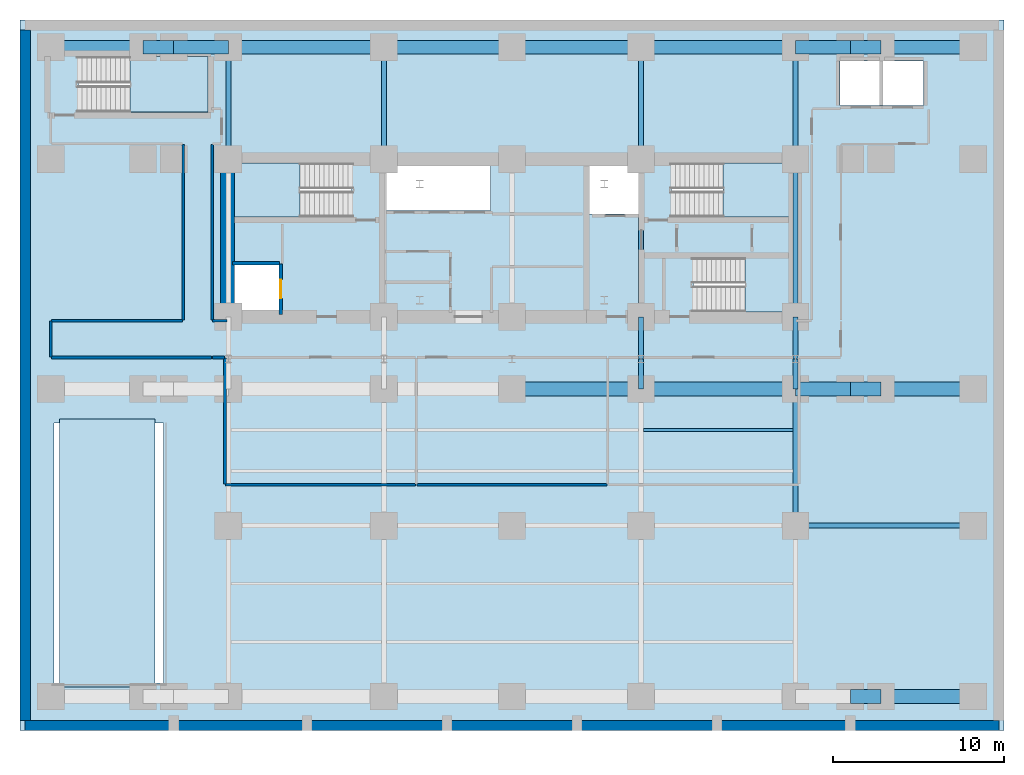
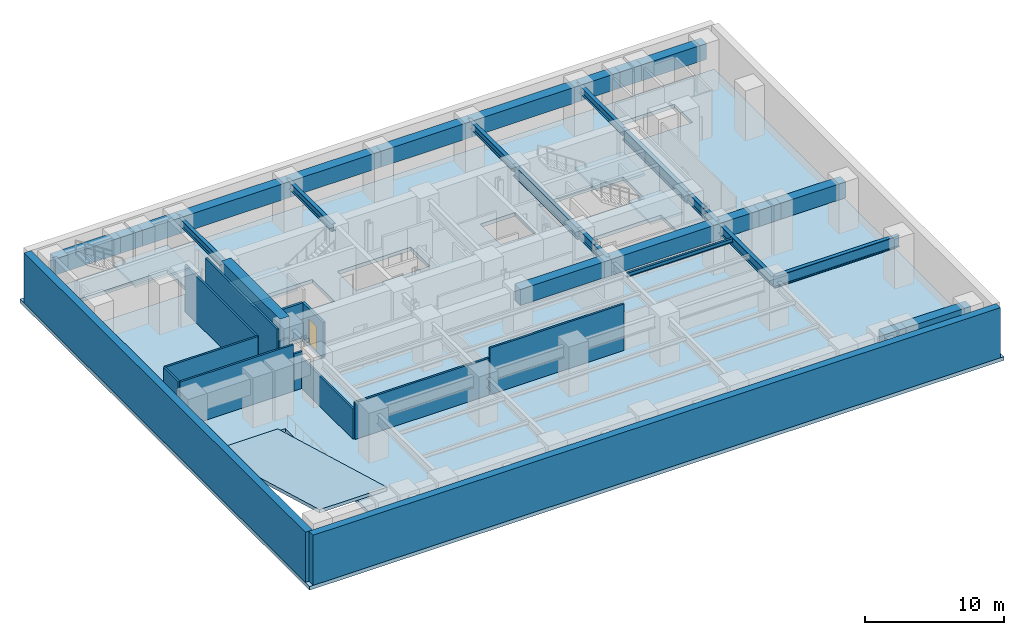
# One storey, part 2 of 9: 30 beams, 15 walls, 6 slabs, 1 door, 1 opening, 4 elements without a shape of their own.
"""IFC4 building model written with IfcOpenShell, lengths in metres."""

import ifcopenshell
import ifcopenshell.guid

model = None  # the IFC model being written
_history = None  # IfcOwnerHistory: only IFC2X3 demands one
_inside = {}  # id of a spatial element -> (the spatial element, [elements in it])
_under = {}  # id of a project, library or spatial element -> (it, [spatial elements below it])
_declared = {}  # id of a project -> (the project, [libraries it declares])
_typed = {}  # id of a type object -> (the type object, [elements of that type])
_made_of = {}  # id of a material, layer set ... -> (it, [elements and type objects made of it])


def new_model(schema):
    """Start an empty IFC model of exactly this schema.

    Asked for "IFC4X3", IfcOpenShell would pick the latest addendum, in which some entities
    have other attributes; the version numbers below select the first issue.
    IFC2X3 requires an IfcOwnerHistory on every rooted entity: one is made here for all.
    """
    global model, _history
    if schema == "IFC4X3":
        model = ifcopenshell.file(schema_version=(4, 3, 0, 0))
    else:
        model = ifcopenshell.file(schema=schema)
    _inside.clear()
    _under.clear()
    _declared.clear()
    _typed.clear()
    _made_of.clear()
    _history = None
    if model.schema == "IFC2X3":
        org = make("IfcOrganization", Name="unknown")
        user = make(
            "IfcPersonAndOrganization",
            ThePerson=make("IfcPerson", FamilyName="unknown"),
            TheOrganization=org,
        )
        app = make(
            "IfcApplication",
            ApplicationDeveloper=org,
            Version="unknown",
            ApplicationFullName="unknown",
            ApplicationIdentifier="unknown",
        )
        _history = make(
            "IfcOwnerHistory",
            OwningUser=user,
            OwningApplication=app,
            ChangeAction="ADDED",
            CreationDate=0,
        )
    return model


def make(cls, **values):
    """One entity of the class cls with the attributes given. An attribute that is None is left unset."""
    return model.create_entity(
        cls, **{name: value for name, value in values.items() if value is not None}
    )


def rooted(cls, **values):
    """An entity with a GlobalId (a new one), such as an element, a storey or a relation."""
    return make(cls, GlobalId=ifcopenshell.guid.new(), OwnerHistory=_history, **values)


def si_unit(unit_type, name, prefix=None):
    """IfcSIUnit, for example si_unit("LENGTHUNIT", "METRE", prefix="MILLI")."""
    return make("IfcSIUnit", UnitType=unit_type, Prefix=prefix, Name=name)


def assignment(units):
    """IfcUnitAssignment: the units of a project."""
    return None if units is None else make("IfcUnitAssignment", Units=units)


def point(xyz):
    """IfcCartesianPoint."""
    return None if xyz is None else make("IfcCartesianPoint", Coordinates=xyz)


def direction(xyz):
    """IfcDirection."""
    return None if xyz is None else make("IfcDirection", DirectionRatios=xyz)


def frame(location, z_axis=None, x_axis=None):
    """IfcAxis2Placement3D, a coordinate frame: its origin and axes. An axis left out is left unset."""
    return make(
        "IfcAxis2Placement3D",
        Location=point(location),
        Axis=direction(z_axis),
        RefDirection=direction(x_axis),
    )


def frame_2d(location, x_axis=None):
    """IfcAxis2Placement2D, a coordinate frame in the plane: its origin and x axis."""
    return make(
        "IfcAxis2Placement2D", Location=point(location), RefDirection=direction(x_axis)
    )


def origin():
    """The frame at (0, 0, 0) with its axes left unset."""
    return frame((0.0, 0.0, 0.0))


def origin_2d():
    """The frame at (0, 0) in the plane with its x axis left unset."""
    return frame_2d((0.0, 0.0))


def place(relative_to, where):
    """IfcLocalPlacement: puts the frame where relative to a parent placement (None: the world)."""
    return make(
        "IfcLocalPlacement", PlacementRelTo=relative_to, RelativePlacement=where
    )


def context(
    kind, dimensions, precision=None, world=None, true_north=None, identifier=None
):
    """IfcGeometricRepresentationContext, for example the 3D "Model" context."""
    return make(
        "IfcGeometricRepresentationContext",
        ContextIdentifier=identifier,
        ContextType=kind,
        CoordinateSpaceDimension=dimensions,
        Precision=precision,
        WorldCoordinateSystem=world,
        TrueNorth=true_north,
    )


def subcontext(parent, identifier, kind, view, scale=None):
    """IfcGeometricRepresentationSubContext, for example "Body" below "Model"."""
    return make(
        "IfcGeometricRepresentationSubContext",
        ContextIdentifier=identifier,
        ContextType=kind,
        ParentContext=parent,
        TargetScale=scale,
        TargetView=view,
    )


def project(units=None, contexts=None):
    """IfcProject with its units and contexts."""
    return rooted(
        "IfcProject",
        Name="project",
        RepresentationContexts=contexts,
        UnitsInContext=assignment(units),
    )


def spatial(cls, under=None, at=None, **own):
    """A site, building, storey or space (cls), placed at a placement, below another one or the project."""
    s = rooted(cls, ObjectPlacement=at, **own)
    if under is not None:
        _under.setdefault(under.id(), (under, []))[1].append(s)
    return s


def polyline(points):
    """IfcPolyline through the points."""
    return make("IfcPolyline", Points=[point(p) for p in points])


def profile(cls, at=None, kind="AREA", **sizes):
    """A parametric profile (cls). Its sizes go by their IFC names, for example OverallWidth=200.0."""
    return make(cls, ProfileType=kind, Position=at, **sizes)


def rectangle(**sizes):
    """IfcRectangleProfileDef."""
    return profile("IfcRectangleProfileDef", **sizes)


def i_section(**sizes):
    """IfcIShapeProfileDef."""
    return profile("IfcIShapeProfileDef", **sizes)


def outline(outer, holes=None, kind="AREA"):
    """IfcArbitraryClosedProfileDef: a profile drawn as a closed curve; with holes, ...WithVoids."""
    if holes is None:
        return make("IfcArbitraryClosedProfileDef", ProfileType=kind, OuterCurve=outer)
    return make(
        "IfcArbitraryProfileDefWithVoids",
        ProfileType=kind,
        OuterCurve=outer,
        InnerCurves=holes,
    )


def extrude(swept, where, along, depth):
    """IfcExtrudedAreaSolid: the profile swept, set in the frame where, extruded along a direction by depth."""
    return make(
        "IfcExtrudedAreaSolid",
        SweptArea=swept,
        Position=where,
        ExtrudedDirection=direction(along),
        Depth=depth,
    )


def shape(context_of_items, identifier, shape_type, items):
    """IfcShapeRepresentation: the items that make up one representation, for example the "Body"."""
    return make(
        "IfcShapeRepresentation",
        ContextOfItems=context_of_items,
        RepresentationIdentifier=identifier,
        RepresentationType=shape_type,
        Items=items,
    )


def material(Name=None, Category=None):
    """IfcMaterial."""
    return make("IfcMaterial", Name=Name, Category=Category)


def layer(
    of_material, thickness, ventilated=None, Name=None, Category=None, Priority=None
):
    """IfcMaterialLayer: one layer of a wall or slab, of a material (None: an air gap)."""
    return make(
        "IfcMaterialLayer",
        Material=of_material,
        LayerThickness=thickness,
        IsVentilated=ventilated,
        Name=Name,
        Category=Category,
        Priority=Priority,
    )


def layer_set(layers, Name=None):
    """IfcMaterialLayerSet."""
    return make("IfcMaterialLayerSet", MaterialLayers=layers, LayerSetName=Name)


def material_profile(
    of_material, cross_section, Name=None, Category=None, Priority=None
):
    """IfcMaterialProfile: a cross section and its material."""
    return make(
        "IfcMaterialProfile",
        Name=Name,
        Material=of_material,
        Profile=cross_section,
        Priority=Priority,
        Category=Category,
    )


def profile_set(profiles, Name=None, composite=None):
    """IfcMaterialProfileSet."""
    return make(
        "IfcMaterialProfileSet",
        Name=Name,
        MaterialProfiles=profiles,
        CompositeProfile=composite,
    )


def made_of(thing, what):
    """Note that an element or type object is made of a material, layer set ...; save() writes the relation."""
    if what is not None:
        _made_of.setdefault(what.id(), (what, []))[1].append(thing)
    return thing


def type_object(cls, material=None, **own):
    """A type object (cls), such as IfcWallType, which elements share."""
    return made_of(rooted(cls, **own), material)


def element(
    cls,
    number,
    at=None,
    inside=None,
    cuts=None,
    type_object=None,
    material=None,
    context=None,
    identifier="Body",
    shape_type=None,
    held_by="IfcProductDefinitionShape",
    body=None,
    shapes=None,
    **own,
):
    """One element of the class cls, such as IfcWall. Its Tag is "e" and its number.

    at: its placement. inside: the storey or other place that contains it. cuts: it is an
    opening in that element (IfcRelVoidsElement). A single representation is given by context,
    identifier, shape_type and body (its items); several are given by shapes. held_by: the class
    of the entity that holds the representations. save() writes the other relations.
    """
    e = rooted(cls, Tag="e%d" % number, ObjectPlacement=at, **own)
    if body is not None:
        shapes = [shape(context, identifier, shape_type, body)]
    if shapes is not None:
        e.Representation = make(held_by, Representations=shapes)
    if inside is not None:
        _inside.setdefault(inside.id(), (inside, []))[1].append(e)
    if cuts is not None:
        rooted(
            "IfcRelVoidsElement", RelatingBuildingElement=cuts, RelatedOpeningElement=e
        )
    if type_object is not None:
        _typed.setdefault(type_object.id(), (type_object, []))[1].append(e)
    return made_of(e, material)


def fill(opening, filler):
    """IfcRelFillsElement: the door or window that sits in an opening."""
    return rooted(
        "IfcRelFillsElement",
        RelatingOpeningElement=opening,
        RelatedBuildingElement=filler,
    )


def aggregate(whole, parts):
    """IfcRelAggregates: a whole, such as a stair, and the parts it consists of."""
    return rooted("IfcRelAggregates", RelatingObject=whole, RelatedObjects=parts)


def save(model, path):
    """Write the relations noted so far, then the file.

    IfcRelAggregates (storeys below a building ...), IfcRelContainedInSpatialStructure (elements
    in a storey), IfcRelDefinesByType, IfcRelAssociatesMaterial and IfcRelDeclares: one each for
    every whole, place, type object, material and project.
    """
    for whole, parts in _under.values():
        aggregate(whole, parts)
    for where, things in _inside.values():
        rooted(
            "IfcRelContainedInSpatialStructure",
            RelatedElements=things,
            RelatingStructure=where,
        )
    for kind, things in _typed.values():
        rooted("IfcRelDefinesByType", RelatedObjects=things, RelatingType=kind)
    for what, things in _made_of.values():
        rooted("IfcRelAssociatesMaterial", RelatedObjects=things, RelatingMaterial=what)
    for by, libraries in _declared.values():
        rooted("IfcRelDeclares", RelatingContext=by, RelatedDefinitions=libraries)
    model.write(path)


model = new_model("IFC4")

# Units and contexts
model_context = context("Model", 3, precision=1e-05, world=origin(), true_north=direction((0.0, 1.0)))
body_context = subcontext(model_context, "Body", "Model", "MODEL_VIEW")
ifc_project = project(units=[si_unit("LENGTHUNIT", "METRE"), si_unit("AREAUNIT", "SQUARE_METRE"), si_unit("VOLUMEUNIT", "CUBIC_METRE"), si_unit("PLANEANGLEUNIT", "RADIAN"), si_unit("MASSUNIT", "GRAM", prefix="KILO")], contexts=[model_context])

# Site, building, storey
site_placement = place(None, origin())
site = spatial("IfcSite", under=ifc_project, at=site_placement, CompositionType="ELEMENT")
building_placement = place(site_placement, origin())
building = spatial("IfcBuilding", under=site, at=building_placement, Name="Zarnavel Station Tower", CompositionType="ELEMENT")
storey_placement = place(building_placement, frame((0.0, 0.0, -8.800048828125)))
storey = spatial("IfcBuildingStorey", under=building, at=storey_placement, Name="B02", CompositionType="ELEMENT", Elevation=-8.800048828125)

# Beams
ifc_material_1 = material(Name="Steel S355J2", Category="steel")
ifc_material_profile_1 = material_profile(ifc_material_1, i_section(OverallWidth=0.300048828125, OverallDepth=0.64990234375, WebThickness=0.01611328125, FlangeThickness=0.031005859375, FilletRadius=0.027099609375, at=origin_2d()), Name="HEB650")
ifc_profile_set_1 = profile_set([ifc_material_profile_1], Name="Steel S355J2")
beam_type_1 = type_object("IfcBeamType", Name="FG_HEB650", PredefinedType="USERDEFINED", material=ifc_profile_set_1)
for number, where, z_axis, x_axis, name in (
    (1, (12.199951171875, 37.050048828125, 3.755126953125), (0.0, 1.0, 0.0), (-1.0, 0.0, 0.0), "B02 NS Girder North 1"),
    (2, (21.300048828125, 37.050048828125, 3.755126953125), (0.0, 1.0, 0.0), (-1.0, 0.0, 0.0), "B02 NS Girder North 2"),
    (3, (36.35009765625, 37.050048828125, 3.755126953125), (0.0, 1.0, 0.0), (-1.0, 0.0, 0.0), "B02 NS Girder North 3"),
    (4, (45.39990234375, 37.050048828125, 3.755126953125), (0.0, 1.0, 0.0), (-1.0, 0.0, 0.0), "B02 NS Girder North 4"),
):
    element("IfcBeam", number, at=place(storey_placement, frame(where, z_axis=z_axis, x_axis=x_axis)), inside=storey, type_object=beam_type_1, Name=name, ObjectType="GIRDER", PredefinedType="USERDEFINED", context=body_context, shape_type="SweptSolid", body=[
        extrude(i_section(OverallWidth=0.300048828125, OverallDepth=0.64990234375, WebThickness=0.01611328125, FlangeThickness=0.031005859375, FilletRadius=0.027099609375, at=origin_2d()), origin(), (0.0, 0.0, 1.0), 6.550048828125),
    ])
ifc_material_2 = material(Name="Steel S460M", Category="steel")
ifc_material_profile_2 = material_profile(ifc_material_2, i_section(OverallWidth=0.302978515625, OverallDepth=0.81396484375, WebThickness=0.02099609375, FlangeThickness=0.0400390625, FilletRadius=0.030029296875, at=origin_2d()), Name="HEM800")
ifc_profile_set_2 = profile_set([ifc_material_profile_2], Name="Steel S460M")
beam_type_2 = type_object("IfcBeamType", Name="FG_HEM800", PredefinedType="USERDEFINED", material=ifc_profile_set_2)
beam_1_placement = place(storey_placement, frame((36.35009765625, 23.60009765625, 3.673095703125), z_axis=(0.0, 1.0, 0.0), x_axis=(-1.0, 0.0, 0.0)))
element("IfcBeam", 5, at=beam_1_placement, inside=storey, type_object=beam_type_2, Name="B02 NS Girder Spine 3", ObjectType="GIRDER", PredefinedType="USERDEFINED", context=body_context, shape_type="SweptSolid", body=[
    extrude(i_section(OverallWidth=0.302978515625, OverallDepth=0.81396484375, WebThickness=0.02099609375, FlangeThickness=0.0400390625, FilletRadius=0.030029296875, at=origin_2d()), origin(), (0.0, 0.0, 1.0), 1.75),
])
beam_2_placement = place(storey_placement, frame((36.35009765625, 25.35009765625, 3.673095703125), z_axis=(0.0, 1.0, 0.0), x_axis=(-1.0, 0.0, 0.0)))
element("IfcBeam", 6, at=beam_2_placement, inside=storey, type_object=beam_type_2, Name="B02 NS Girder Core 3", ObjectType="GIRDER", PredefinedType="USERDEFINED", context=body_context, shape_type="SweptSolid", body=[
    extrude(i_section(OverallWidth=0.302978515625, OverallDepth=0.81396484375, WebThickness=0.02099609375, FlangeThickness=0.0400390625, FilletRadius=0.030029296875, at=origin_2d()), origin(), (0.0, 0.0, 1.0), 2.469970703125),
])
beam_3_placement = place(storey_placement, frame((45.39990234375, 15.60009765625, 3.673095703125), z_axis=(0.0, 1.0, 0.0), x_axis=(-1.0, 0.0, 0.0)))
element("IfcBeam", 7, at=beam_3_placement, inside=storey, type_object=beam_type_2, Name="B02 NS Girder Mid 4", ObjectType="GIRDER", PredefinedType="USERDEFINED", context=body_context, shape_type="SweptSolid", body=[
    extrude(i_section(OverallWidth=0.302978515625, OverallDepth=0.81396484375, WebThickness=0.02099609375, FlangeThickness=0.0400390625, FilletRadius=0.030029296875, at=origin_2d()), origin(), (0.0, 0.0, 1.0), 8.0),
])
beam_4_placement = place(storey_placement, frame((45.39990234375, 23.60009765625, 3.673095703125), z_axis=(0.0, 1.0, 0.0), x_axis=(-1.0, 0.0, 0.0)))
element("IfcBeam", 8, at=beam_4_placement, inside=storey, type_object=beam_type_2, Name="B02 NS Girder Spine 4", ObjectType="GIRDER", PredefinedType="USERDEFINED", context=body_context, shape_type="SweptSolid", body=[
    extrude(i_section(OverallWidth=0.302978515625, OverallDepth=0.81396484375, WebThickness=0.02099609375, FlangeThickness=0.0400390625, FilletRadius=0.030029296875, at=origin_2d()), origin(), (0.0, 0.0, 1.0), 1.75),
])
beam_5_placement = place(storey_placement, frame((45.39990234375, 25.35009765625, 3.673095703125), z_axis=(0.0, 1.0, 0.0), x_axis=(-1.0, 0.0, 0.0)))
element("IfcBeam", 9, at=beam_5_placement, inside=storey, type_object=beam_type_2, Name="B02 NS Girder Core 4", ObjectType="GIRDER", PredefinedType="USERDEFINED", context=body_context, shape_type="SweptSolid", body=[
    extrude(i_section(OverallWidth=0.302978515625, OverallDepth=0.81396484375, WebThickness=0.02099609375, FlangeThickness=0.0400390625, FilletRadius=0.030029296875, at=origin_2d()), origin(), (0.0, 0.0, 1.0), 2.469970703125),
])
ifc_material_3 = material(Name="Concrete C45/55", Category="concrete")
ifc_material_profile_3 = material_profile(ifc_material_3, rectangle(XDim=0.800048828125, YDim=1.39990234375, at=origin_2d()), Name="RC800x1400")
ifc_profile_set_3 = profile_set([ifc_material_profile_3], Name="Concrete C45/55")
beam_type_3 = type_object("IfcBeamType", Name="FG_RC800x1400", PredefinedType="USERDEFINED", material=ifc_profile_set_3)
beam_6_placement = place(storey_placement, frame((48.60009765625, 5.60009765625, 3.380126953125), z_axis=(1.0, 0.0, 0.0), x_axis=(0.0, 1.0, 0.0)))
element("IfcBeam", 10, at=beam_6_placement, inside=storey, type_object=beam_type_3, Name="B02 EW Frame Girder 1-9", ObjectType="GIRDER", PredefinedType="USERDEFINED", context=body_context, shape_type="SweptSolid", body=[
    extrude(rectangle(XDim=0.800048828125, YDim=1.39990234375, at=origin_2d()), origin(), (0.0, 0.0, 1.0), 1.7998046875),
])
beam_7_placement = place(storey_placement, frame((50.39990234375, 5.60009765625, 3.380126953125), z_axis=(1.0, 0.0, 0.0), x_axis=(0.0, 1.0, 0.0)))
element("IfcBeam", 11, at=beam_7_placement, inside=storey, type_object=beam_type_3, Name="B02 EW Frame Girder 1-10", ObjectType="GIRDER", PredefinedType="USERDEFINED", context=body_context, shape_type="SweptSolid", body=[
    extrude(rectangle(XDim=0.800048828125, YDim=1.39990234375, at=origin_2d()), origin(), (0.0, 0.0, 1.0), 5.400146484375),
])
beam_8_placement = place(storey_placement, frame((28.800048828125, 23.60009765625, 3.380126953125), z_axis=(1.0, 0.0, 0.0), x_axis=(0.0, 1.0, 0.0)))
element("IfcBeam", 12, at=beam_8_placement, inside=storey, type_object=beam_type_3, Name="B02 EW Frame Girder 2-6", ObjectType="GIRDER", PredefinedType="USERDEFINED", context=body_context, shape_type="SweptSolid", body=[
    extrude(rectangle(XDim=0.800048828125, YDim=1.39990234375, at=origin_2d()), origin(), (0.0, 0.0, 1.0), 7.550048828125),
])
beam_9_placement = place(storey_placement, frame((36.35009765625, 23.60009765625, 3.380126953125), z_axis=(1.0, 0.0, 0.0), x_axis=(0.0, 1.0, 0.0)))
element("IfcBeam", 13, at=beam_9_placement, inside=storey, type_object=beam_type_3, Name="B02 EW Frame Girder 2-7", ObjectType="GIRDER", PredefinedType="USERDEFINED", context=body_context, shape_type="SweptSolid", body=[
    extrude(rectangle(XDim=0.800048828125, YDim=1.39990234375, at=origin_2d()), origin(), (0.0, 0.0, 1.0), 9.0498046875),
])
beam_10_placement = place(storey_placement, frame((45.39990234375, 23.60009765625, 3.380126953125), z_axis=(1.0, 0.0, 0.0), x_axis=(0.0, 1.0, 0.0)))
element("IfcBeam", 14, at=beam_10_placement, inside=storey, type_object=beam_type_3, Name="B02 EW Frame Girder 2-8", ObjectType="GIRDER", PredefinedType="USERDEFINED", context=body_context, shape_type="SweptSolid", body=[
    extrude(rectangle(XDim=0.800048828125, YDim=1.39990234375, at=origin_2d()), origin(), (0.0, 0.0, 1.0), 3.2001953125),
])
beam_11_placement = place(storey_placement, frame((48.60009765625, 23.60009765625, 3.380126953125), z_axis=(1.0, 0.0, 0.0), x_axis=(0.0, 1.0, 0.0)))
element("IfcBeam", 15, at=beam_11_placement, inside=storey, type_object=beam_type_3, Name="B02 EW Frame Girder 2-9", ObjectType="GIRDER", PredefinedType="USERDEFINED", context=body_context, shape_type="SweptSolid", body=[
    extrude(rectangle(XDim=0.800048828125, YDim=1.39990234375, at=origin_2d()), origin(), (0.0, 0.0, 1.0), 1.7998046875),
])
beam_12_placement = place(storey_placement, frame((50.39990234375, 23.60009765625, 3.380126953125), z_axis=(1.0, 0.0, 0.0), x_axis=(0.0, 1.0, 0.0)))
element("IfcBeam", 16, at=beam_12_placement, inside=storey, type_object=beam_type_3, Name="B02 EW Frame Girder 2-10", ObjectType="GIRDER", PredefinedType="USERDEFINED", context=body_context, shape_type="SweptSolid", body=[
    extrude(rectangle(XDim=0.800048828125, YDim=1.39990234375, at=origin_2d()), origin(), (0.0, 0.0, 1.0), 5.400146484375),
])
beam_13_placement = place(storey_placement, frame((1.800048828125, 43.60009765625, 3.380126953125), z_axis=(1.0, 0.0, 0.0), x_axis=(0.0, 1.0, 0.0)))
element("IfcBeam", 17, at=beam_13_placement, inside=storey, type_object=beam_type_3, Name="B02 EW Frame Girder 3-1", ObjectType="GIRDER", PredefinedType="USERDEFINED", context=body_context, shape_type="SweptSolid", body=[
    extrude(rectangle(XDim=0.800048828125, YDim=1.39990234375, at=origin_2d()), origin(), (0.0, 0.0, 1.0), 5.39990234375),
])
beam_14_placement = place(storey_placement, frame((7.199951171875, 43.60009765625, 3.380126953125), z_axis=(1.0, 0.0, 0.0), x_axis=(0.0, 1.0, 0.0)))
element("IfcBeam", 18, at=beam_14_placement, inside=storey, type_object=beam_type_3, Name="B02 EW Frame Girder 3-2", ObjectType="GIRDER", PredefinedType="USERDEFINED", context=body_context, shape_type="SweptSolid", body=[
    extrude(rectangle(XDim=0.800048828125, YDim=1.39990234375, at=origin_2d()), origin(), (0.0, 0.0, 1.0), 1.800048828125),
])
beam_15_placement = place(storey_placement, frame((9.0, 43.60009765625, 3.380126953125), z_axis=(1.0, 0.0, 0.0), x_axis=(0.0, 1.0, 0.0)))
element("IfcBeam", 19, at=beam_15_placement, inside=storey, type_object=beam_type_3, Name="B02 EW Frame Girder 3-3", ObjectType="GIRDER", PredefinedType="USERDEFINED", context=body_context, shape_type="SweptSolid", body=[
    extrude(rectangle(XDim=0.800048828125, YDim=1.39990234375, at=origin_2d()), origin(), (0.0, 0.0, 1.0), 3.199951171875),
])
beam_16_placement = place(storey_placement, frame((12.199951171875, 43.60009765625, 3.380126953125), z_axis=(1.0, 0.0, 0.0), x_axis=(0.0, 1.0, 0.0)))
element("IfcBeam", 20, at=beam_16_placement, inside=storey, type_object=beam_type_3, Name="B02 EW Frame Girder 3-4", ObjectType="GIRDER", PredefinedType="USERDEFINED", context=body_context, shape_type="SweptSolid", body=[
    extrude(rectangle(XDim=0.800048828125, YDim=1.39990234375, at=origin_2d()), origin(), (0.0, 0.0, 1.0), 9.10009765625),
])
beam_17_placement = place(storey_placement, frame((21.300048828125, 43.60009765625, 3.380126953125), z_axis=(1.0, 0.0, 0.0), x_axis=(0.0, 1.0, 0.0)))
element("IfcBeam", 21, at=beam_17_placement, inside=storey, type_object=beam_type_3, Name="B02 EW Frame Girder 3-5", ObjectType="GIRDER", PredefinedType="USERDEFINED", context=body_context, shape_type="SweptSolid", body=[
    extrude(rectangle(XDim=0.800048828125, YDim=1.39990234375, at=origin_2d()), origin(), (0.0, 0.0, 1.0), 7.5),
])
beam_18_placement = place(storey_placement, frame((28.800048828125, 43.60009765625, 3.380126953125), z_axis=(1.0, 0.0, 0.0), x_axis=(0.0, 1.0, 0.0)))
element("IfcBeam", 22, at=beam_18_placement, inside=storey, type_object=beam_type_3, Name="B02 EW Frame Girder 3-6", ObjectType="GIRDER", PredefinedType="USERDEFINED", context=body_context, shape_type="SweptSolid", body=[
    extrude(rectangle(XDim=0.800048828125, YDim=1.39990234375, at=origin_2d()), origin(), (0.0, 0.0, 1.0), 7.550048828125),
])
beam_19_placement = place(storey_placement, frame((36.35009765625, 43.60009765625, 3.380126953125), z_axis=(1.0, 0.0, 0.0), x_axis=(0.0, 1.0, 0.0)))
element("IfcBeam", 23, at=beam_19_placement, inside=storey, type_object=beam_type_3, Name="B02 EW Frame Girder 3-7", ObjectType="GIRDER", PredefinedType="USERDEFINED", context=body_context, shape_type="SweptSolid", body=[
    extrude(rectangle(XDim=0.800048828125, YDim=1.39990234375, at=origin_2d()), origin(), (0.0, 0.0, 1.0), 9.0498046875),
])
beam_20_placement = place(storey_placement, frame((45.39990234375, 43.60009765625, 3.380126953125), z_axis=(1.0, 0.0, 0.0), x_axis=(0.0, 1.0, 0.0)))
element("IfcBeam", 24, at=beam_20_placement, inside=storey, type_object=beam_type_3, Name="B02 EW Frame Girder 3-8", ObjectType="GIRDER", PredefinedType="USERDEFINED", context=body_context, shape_type="SweptSolid", body=[
    extrude(rectangle(XDim=0.800048828125, YDim=1.39990234375, at=origin_2d()), origin(), (0.0, 0.0, 1.0), 3.2001953125),
])
beam_21_placement = place(storey_placement, frame((48.60009765625, 43.60009765625, 3.380126953125), z_axis=(1.0, 0.0, 0.0), x_axis=(0.0, 1.0, 0.0)))
element("IfcBeam", 25, at=beam_21_placement, inside=storey, type_object=beam_type_3, Name="B02 EW Frame Girder 3-9", ObjectType="GIRDER", PredefinedType="USERDEFINED", context=body_context, shape_type="SweptSolid", body=[
    extrude(rectangle(XDim=0.800048828125, YDim=1.39990234375, at=origin_2d()), origin(), (0.0, 0.0, 1.0), 1.7998046875),
])
beam_22_placement = place(storey_placement, frame((50.39990234375, 43.60009765625, 3.380126953125), z_axis=(1.0, 0.0, 0.0), x_axis=(0.0, 1.0, 0.0)))
element("IfcBeam", 26, at=beam_22_placement, inside=storey, type_object=beam_type_3, Name="B02 EW Frame Girder 3-10", ObjectType="GIRDER", PredefinedType="USERDEFINED", context=body_context, shape_type="SweptSolid", body=[
    extrude(rectangle(XDim=0.800048828125, YDim=1.39990234375, at=origin_2d()), origin(), (0.0, 0.0, 1.0), 5.400146484375),
])
ifc_material_4 = material(Name="Steel S355J2", Category="steel")
ifc_material_profile_4 = material_profile(ifc_material_4, i_section(OverallWidth=0.169921875, OverallDepth=0.360107421875, WebThickness=0.008056640625, FlangeThickness=0.0126953125, FilletRadius=0.01806640625, at=origin_2d()), Name="IPE360")
ifc_profile_set_4 = profile_set([ifc_material_profile_4], Name="Steel S355J2")
beam_type_4 = type_object("IfcBeamType", Name="FJ_IPE360", PredefinedType="JOIST", material=ifc_profile_set_4)
beam_23_placement = place(storey_placement, frame((36.4951171875, 21.199951171875, 3.900146484375), z_axis=(1.0, 0.0, 0.0), x_axis=(0.0, 1.0, 0.0)))
element("IfcBeam", 27, at=beam_23_placement, inside=storey, type_object=beam_type_4, Name="B02 Floor Joist E4", PredefinedType="JOIST", context=body_context, shape_type="SweptSolid", body=[
    extrude(i_section(OverallWidth=0.169921875, OverallDepth=0.360107421875, WebThickness=0.008056640625, FlangeThickness=0.0126953125, FilletRadius=0.01806640625, at=origin_2d()), origin(), (0.0, 0.0, 1.0), 8.759765625),
])
ifc_material_5 = material(Name="Steel S460M", Category="steel")
ifc_material_profile_5 = material_profile(ifc_material_5, i_section(OverallWidth=0.302001953125, OverallDepth=1.008056640625, WebThickness=0.02099609375, FlangeThickness=0.0400390625, FilletRadius=0.030029296875, at=origin_2d()), Name="HEM1000")
ifc_profile_set_5 = profile_set([ifc_material_profile_5], Name="Steel S460M")
beam_type_5 = type_object("IfcBeamType", Name="TG_HEM1000", PredefinedType="USERDEFINED", material=ifc_profile_set_5)
for number, where, z_axis, x_axis, name in (
    (28, (36.35009765625, 27.820068359375, 3.575927734375), (0.0, 1.0, 0.0), (-1.0, 0.0, 0.0), "B02 Core Spine Coupling Girder 4"),
    (29, (45.39990234375, 27.820068359375, 3.575927734375), (0.0, 1.0, 0.0), (-1.0, 0.0, 0.0), "B02 Core Spine Coupling Girder 5"),
):
    element("IfcBeam", number, at=place(storey_placement, frame(where, z_axis=z_axis, x_axis=x_axis)), inside=storey, type_object=beam_type_5, Name=name, ObjectType="GIRDER", PredefinedType="USERDEFINED", context=body_context, shape_type="SweptSolid", body=[
        extrude(i_section(OverallWidth=0.302001953125, OverallDepth=1.008056640625, WebThickness=0.02099609375, FlangeThickness=0.0400390625, FilletRadius=0.030029296875, at=origin_2d()), origin(), (0.0, 0.0, 1.0), 9.22998046875),
    ])
beam_24_placement = place(storey_placement, frame((45.39990234375, 15.60009765625, 3.575927734375), z_axis=(1.0, 0.0, 0.0), x_axis=(0.0, 1.0, 0.0)))
element("IfcBeam", 30, at=beam_24_placement, inside=storey, type_object=beam_type_5, Name="B02 East Hall Outer Girder", ObjectType="GIRDER", PredefinedType="USERDEFINED", context=body_context, shape_type="SweptSolid", body=[
    extrude(i_section(OverallWidth=0.302001953125, OverallDepth=1.008056640625, WebThickness=0.02099609375, FlangeThickness=0.0400390625, FilletRadius=0.030029296875, at=origin_2d()), origin(), (0.0, 0.0, 1.0), 10.400146484375),
])

# Slabs
ifc_material_6 = material(Name="Concrete C45/55", Category="concrete")
ifc_layer_1 = layer(ifc_material_6, 0.320068359375)
ifc_layer_set_1 = layer_set([ifc_layer_1], Name="SL_FLR_320")
slab_type_1 = type_object("IfcSlabType", Name="SL_FLR_320", PredefinedType="FLOOR", material=ifc_layer_set_1)
slab_1_placement = place(storey_placement, frame((0.0, 0.0, -0.320068359375)))
element("IfcSlab", 31, at=slab_1_placement, inside=storey, type_object=slab_type_1, Name="B02 Structural Floor Slab", PredefinedType="FLOOR", context=body_context, shape_type="SweptSolid", body=[
    extrude(outline(polyline([(0.0, 3.60009765625), (57.60009765625, 3.60009765625), (57.60009765625, 45.199951171875), (0.0, 45.199951171875), (0.0, 3.60009765625)]), holes=[polyline([(12.39990234375, 33.659912109375), (19.409912109375, 33.659912109375), (19.409912109375, 36.820068359375), (12.39990234375, 36.820068359375), (12.39990234375, 33.659912109375)]), polyline([(38.14990234375, 33.659912109375), (45.159912109375, 33.659912109375), (45.159912109375, 36.820068359375), (38.14990234375, 36.820068359375), (38.14990234375, 33.659912109375)]), polyline([(39.419921875, 28.1201171875), (45.14990234375, 28.1201171875), (45.14990234375, 31.280029296875), (39.419921875, 31.280029296875), (39.419921875, 28.1201171875)]), polyline([(3.419921875, 39.800048828125), (11.0, 39.800048828125), (11.0, 43.06005859375), (3.419921875, 43.06005859375), (3.419921875, 39.800048828125)]), polyline([(12.35009765625, 27.949951171875), (15.14990234375, 27.949951171875), (15.14990234375, 30.85009765625), (12.35009765625, 30.85009765625), (12.35009765625, 27.949951171875)]), polyline([(33.320068359375, 33.85009765625), (36.2099609375, 33.85009765625), (36.2099609375, 36.780029296875), (33.320068359375, 36.780029296875), (33.320068359375, 33.85009765625)]), polyline([(21.449951171875, 34.050048828125), (27.550048828125, 34.050048828125), (27.550048828125, 36.780029296875), (21.449951171875, 36.780029296875), (21.449951171875, 34.050048828125)]), polyline([(48.0, 40.199951171875), (52.89990234375, 40.199951171875), (52.89990234375, 42.800048828125), (48.0, 42.800048828125), (48.0, 40.199951171875)]), polyline([(2.0, 6.39990234375), (8.39990234375, 6.39990234375), (8.39990234375, 21.60009765625), (2.0, 21.60009765625), (2.0, 6.39990234375)])]), origin(), (0.0, 0.0, 1.0), 0.320068359375),
])
ifc_material_7 = material(Name="Concrete C45/55", Category="concrete")
ifc_material_8 = material(Name="Concrete C45/55", Category="concrete")
ifc_layer_2 = layer(ifc_material_8, 0.300048828125)
ifc_layer_set_2 = layer_set([ifc_layer_2], Name="SL_RMP_300")
slab_type_2 = type_object("IfcSlabType", Name="SL_RMP_300", PredefinedType="USERDEFINED", material=ifc_layer_set_2)
slab_2_placement = place(storey_placement, frame((5.10009765625, 21.85009765625, 0.0), z_axis=(0.0, 0.0, 1.0), x_axis=(0.0, -1.0, 0.0)))
element("IfcSlab", 32, at=slab_2_placement, inside=storey, type_object=slab_type_2, material=ifc_material_7, Name="B02 to B01 Two-Way Vehicle Ramp Structural Slab", ObjectType="VEHICLE_RAMP_SLAB", PredefinedType="USERDEFINED", context=body_context, shape_type="SweptSolid", body=[
    extrude(outline(polyline([(0.0, 0.0), (15.7001953125, 4.400146484375), (15.7001953125, 4.10009765625), (0.0, -0.300048828125), (0.0, 0.0)])), frame((0.0, -2.800048828125, 0.0), z_axis=(0.0, -1.0, 0.0), x_axis=(1.0, 0.0, 0.0)), (0.0, 0.0, -1.0), 5.60009765625),
])

# Stair, slab
ifc_material_9 = material(Name="Concrete C45/55", Category="concrete")
stair_type_1 = type_object("IfcStairType", Name="ST_CORE_150", PredefinedType="HALF_TURN_STAIR", material=ifc_material_9)
stair_1_placement = place(storey_placement, origin())
stair_1 = element("IfcStair", 33, at=stair_1_placement, inside=storey, type_object=stair_type_1, Name="B02 Core Exit Stair ST1", PredefinedType="HALF_TURN_STAIR")
ifc_material_10 = material(Name="Concrete C45/55", Category="concrete")
ifc_layer_3 = layer(ifc_material_10, 0.199951171875)
ifc_layer_set_3 = layer_set([ifc_layer_3], Name="SL_STAIR_LAND_200")
slab_type_3 = type_object("IfcSlabType", Name="SL_STAIR_LAND_200", PredefinedType="LANDING", material=ifc_layer_set_3)
slab_3_placement = place(storey_placement, frame((0.0, 0.0, 2.0)))
slab_3 = element("IfcSlab", 34, at=slab_3_placement, type_object=slab_type_3, Name="ST1 landing 1", PredefinedType="LANDING", context=body_context, shape_type="SweptSolid", body=[
    extrude(outline(polyline([(16.39990234375, 36.820068359375), (12.39990234375, 36.820068359375), (12.39990234375, 33.659912109375), (16.39990234375, 33.659912109375), (16.39990234375, 36.820068359375)])), origin(), (0.0, 0.0, 1.0), 0.199951171875),
])
aggregate(stair_1, [slab_3])

stair_2_placement = place(storey_placement, origin())
stair_2 = element("IfcStair", 35, at=stair_2_placement, inside=storey, type_object=stair_type_1, Name="B02 Core Exit Stair ST2", PredefinedType="HALF_TURN_STAIR")
slab_4_placement = place(storey_placement, frame((0.0, 0.0, 2.0)))
slab_4 = element("IfcSlab", 36, at=slab_4_placement, type_object=slab_type_3, Name="ST2 landing 1", PredefinedType="LANDING", context=body_context, shape_type="SweptSolid", body=[
    extrude(outline(polyline([(41.159912109375, 33.659912109375), (45.159912109375, 33.659912109375), (45.159912109375, 36.820068359375), (41.159912109375, 36.820068359375), (41.159912109375, 33.659912109375)])), origin(), (0.0, 0.0, 1.0), 0.199951171875),
])
aggregate(stair_2, [slab_4])

stair_3_placement = place(storey_placement, origin())
stair_3 = element("IfcStair", 37, at=stair_3_placement, inside=storey, type_object=stair_type_1, Name="B02 Core Exit Stair ST3", PredefinedType="HALF_TURN_STAIR")
slab_5_placement = place(storey_placement, frame((0.0, 0.0, 2.0)))
slab_5 = element("IfcSlab", 38, at=slab_5_placement, type_object=slab_type_3, Name="ST3 landing 1", PredefinedType="LANDING", context=body_context, shape_type="SweptSolid", body=[
    extrude(outline(polyline([(42.429931640625, 28.1201171875), (45.14990234375, 28.1201171875), (45.14990234375, 31.280029296875), (42.429931640625, 31.280029296875), (42.429931640625, 28.1201171875)])), origin(), (0.0, 0.0, 1.0), 0.199951171875),
])
aggregate(stair_3, [slab_5])

ifc_material_11 = material(Name="Concrete C45/55", Category="concrete")
stair_type_2 = type_object("IfcStairType", Name="ST_POD_155", PredefinedType="HALF_TURN_STAIR", material=ifc_material_11)
stair_4_placement = place(storey_placement, origin())
stair_4 = element("IfcStair", 39, at=stair_4_placement, inside=storey, type_object=stair_type_2, Name="B02 Core Exit Stair ST4", PredefinedType="HALF_TURN_STAIR")
slab_6_placement = place(storey_placement, frame((0.0, 0.0, 2.0)))
slab_6 = element("IfcSlab", 40, at=slab_6_placement, type_object=slab_type_3, Name="ST4 landing 1", PredefinedType="LANDING", context=body_context, shape_type="SweptSolid", body=[
    extrude(outline(polyline([(6.429931640625, 39.800048828125), (11.0, 39.800048828125), (11.0, 43.06005859375), (6.429931640625, 43.06005859375), (6.429931640625, 39.800048828125)])), origin(), (0.0, 0.0, 1.0), 0.199951171875),
])
aggregate(stair_4, [slab_6])

# Walls
ifc_material_12 = material(Name="Concrete C60/75", Category="concrete")
ifc_layer_4 = layer(ifc_material_12, 0.800048828125)
ifc_layer_set_4 = layer_set([ifc_layer_4], Name="CW_800")
wall_type_1 = type_object("IfcWallType", Name="CW_800", PredefinedType="SHEAR", material=ifc_layer_set_4)
wall_1_placement = place(storey_placement, frame((12.14990234375, 28.219970703125, 0.0), z_axis=(0.0, 0.0, 1.0), x_axis=(0.0, 1.0, 0.0)))
element("IfcWall", 41, at=wall_1_placement, inside=storey, type_object=wall_type_1, Name="B02 Rear Core Shear Wall W", PredefinedType="SHEAR", context=body_context, shape_type="SweptSolid", body=[
    extrude(rectangle(XDim=8.429931640625, YDim=0.800048828125, at=frame_2d((4.21484375, 0.0))), origin(), (0.0, 0.0, 1.0), 4.400146484375),
])
ifc_material_13 = material(Name="Gypsum Twin-Stud Acoustic Fire Partition", Category="concrete")
ifc_layer_5 = layer(ifc_material_13, 0.159912109375)
ifc_layer_set_5 = layer_set([ifc_layer_5], Name="PT_DEMISE_160")
wall_type_2 = type_object("IfcWallType", Name="PT_DEMISE_160", PredefinedType="PARTITIONING", material=ifc_layer_set_5)
wall_2_placement = place(storey_placement, frame((12.0400390625, 18.0, 0.0), z_axis=(0.0, 0.0, 1.0), x_axis=(1.0, 0.0, 0.0)))
element("IfcWall", 42, at=wall_2_placement, inside=storey, type_object=wall_type_2, Name="B02 Partition CPK-S-GEN", PredefinedType="PARTITIONING", context=body_context, shape_type="SweptSolid", body=[
    extrude(rectangle(XDim=11.119873046875, YDim=0.159912109375, at=frame_2d((5.56005859375, 0.0))), origin(), (0.0, 0.0, 1.0), 3.24609375),
])
wall_3_placement = place(storey_placement, frame((23.239990234375, 18.0, 0.0), z_axis=(0.0, 0.0, 1.0), x_axis=(1.0, 0.0, 0.0)))
element("IfcWall", 43, at=wall_3_placement, inside=storey, type_object=wall_type_2, Name="B02 Partition CPK-S-TRF", PredefinedType="PARTITIONING", context=body_context, shape_type="SweptSolid", body=[
    extrude(rectangle(XDim=11.1201171875, YDim=0.159912109375, at=frame_2d((5.56005859375, 0.0))), origin(), (0.0, 0.0, 1.0), 4.080078125),
])
wall_4_placement = place(storey_placement, frame((11.280029296875, 25.449951171875, 0.0), z_axis=(0.0, 0.0, 1.0), x_axis=(1.0, 0.0, 0.0)))
element("IfcWall", 44, at=wall_4_placement, inside=storey, type_object=wall_type_2, Name="B02 Enclosure Wall COR-B", PredefinedType="PARTITIONING", context=body_context, shape_type="SweptSolid", body=[
    extrude(rectangle(XDim=0.68994140625, YDim=0.159912109375, at=frame_2d((0.344970703125, 0.0))), origin(), (0.0, 0.0, 1.0), 3.24609375),
])
wall_5_placement = place(storey_placement, frame((11.280029296875, 27.60009765625, 0.0), z_axis=(0.0, 0.0, 1.0), x_axis=(1.0, 0.0, 0.0)))
element("IfcWall", 45, at=wall_5_placement, inside=storey, type_object=wall_type_2, Name="B02 Enclosure Wall COR-B", PredefinedType="PARTITIONING", context=body_context, shape_type="SweptSolid", body=[
    extrude(rectangle(XDim=0.840087890625, YDim=0.159912109375, at=frame_2d((0.419921875, 0.0))), origin(), (0.0, 0.0, 1.0), 3.052001953125),
])
wall_6_placement = place(storey_placement, frame((1.830078125, 25.449951171875, 0.0), z_axis=(0.0, 0.0, 1.0), x_axis=(1.0, 0.0, 0.0)))
element("IfcWall", 46, at=wall_6_placement, inside=storey, type_object=wall_type_2, Name="B02 Enclosure Wall COR-BW", PredefinedType="PARTITIONING", context=body_context, shape_type="SweptSolid", body=[
    extrude(rectangle(XDim=9.389892578125, YDim=0.159912109375, at=frame_2d((4.69482421875, 0.0))), origin(), (0.0, 0.0, 1.0), 4.080078125),
])
wall_7_placement = place(storey_placement, frame((1.830078125, 27.60009765625, 0.0), z_axis=(0.0, 0.0, 1.0), x_axis=(1.0, 0.0, 0.0)))
element("IfcWall", 47, at=wall_7_placement, inside=storey, type_object=wall_type_2, Name="B02 Enclosure Wall COR-BW", PredefinedType="PARTITIONING", context=body_context, shape_type="SweptSolid", body=[
    extrude(rectangle(XDim=7.68994140625, YDim=0.159912109375, at=frame_2d((3.844970703125, 0.0))), origin(), (0.0, 0.0, 1.0), 4.080078125),
])
wall_8_placement = place(storey_placement, frame((1.800048828125, 25.47998046875, 0.0), z_axis=(0.0, 0.0, 1.0), x_axis=(0.0, 1.0, 0.0)))
element("IfcWall", 48, at=wall_8_placement, inside=storey, type_object=wall_type_2, Name="B02 Enclosure Wall COR-BW", PredefinedType="PARTITIONING", context=body_context, shape_type="SweptSolid", body=[
    extrude(rectangle(XDim=2.090087890625, YDim=0.159912109375, at=frame_2d((1.044921875, 0.0))), origin(), (0.0, 0.0, 1.0), 4.080078125),
])
for number, where, z_axis, x_axis, name in (
    (49, (9.550048828125, 27.6298828125, 0.0), (0.0, 0.0, 1.0), (0.0, 1.0, 0.0), "B02 Enclosure Wall COR-BWN"),
    (50, (11.25, 27.6298828125, 0.0), (0.0, 0.0, 1.0), (0.0, 1.0, 0.0), "B02 Enclosure Wall COR-BWN"),
):
    element("IfcWall", number, at=place(storey_placement, frame(where, z_axis=z_axis, x_axis=x_axis)), inside=storey, type_object=wall_type_2, Name=name, PredefinedType="PARTITIONING", context=body_context, shape_type="SweptSolid", body=[
        extrude(rectangle(XDim=10.2900390625, YDim=0.159912109375, at=frame_2d((5.14501953125, 0.0))), origin(), (0.0, 0.0, 1.0), 4.080078125),
    ])
wall_9_placement = place(storey_placement, frame((12.0, 18.030029296875, 0.0), z_axis=(0.0, 0.0, 1.0), x_axis=(0.0, 1.0, 0.0)))
element("IfcWall", 51, at=wall_9_placement, inside=storey, type_object=wall_type_2, Name="B02 Enclosure Wall GEN", PredefinedType="PARTITIONING", context=body_context, shape_type="SweptSolid", body=[
    extrude(rectangle(XDim=7.389892578125, YDim=0.159912109375, at=frame_2d((3.69482421875, 0.0))), origin(), (0.0, 0.0, 1.0), 2.66015625),
])

# Wall, opening, door
ifc_material_14 = material(Name="Precast concrete C45/55 (Fire Shaft Blockwork)", Category="masonry")
ifc_layer_6 = layer(ifc_material_14, 0.199951171875)
ifc_layer_set_6 = layer_set([ifc_layer_6], Name="PT_SHAFT_200")
wall_type_3 = type_object("IfcWallType", Name="PT_SHAFT_200", PredefinedType="PARTITIONING", material=ifc_layer_set_6)
wall_10_placement = place(storey_placement, frame((15.27001953125, 27.969970703125, 0.0), z_axis=(0.0, 0.0, 1.0), x_axis=(0.0, 1.0, 0.0)))
wall_10 = element("IfcWall", 52, at=wall_10_placement, inside=storey, type_object=wall_type_3, Name="B02 Lift FFL-01 Shaft Front Wall", PredefinedType="PARTITIONING", context=body_context, shape_type="SweptSolid", body=[
    extrude(rectangle(XDim=2.9599609375, YDim=0.199951171875, at=frame_2d((1.47998046875, 0.0))), origin(), (0.0, 0.0, 1.0), 3.052001953125),
])
opening_placement = place(wall_10_placement, frame((0.929931640625, 0.0, 0.0)))
opening = element("IfcOpeningElement", 53, at=opening_placement, cuts=wall_10, Name="Opening LD01", PredefinedType="OPENING", context=body_context, shape_type="SweptSolid", body=[
    extrude(rectangle(XDim=1.10009765625, YDim=2.14990234375, at=frame_2d((0.550048828125, 1.074951171875))), frame((0.0, 0.10986328125, 0.0), z_axis=(0.0, -1.0, 0.0), x_axis=(1.0, 0.0, 0.0)), (0.0, 0.0, 1.0), 0.219970703125),
])
ifc_material_15 = material(Name="Painted Galvanised Steel and Hardwood Leaf", Category="steel")
door_type = type_object("IfcDoorType", Name="LD_FF_1100", OperationType="DOUBLE_DOOR_SLIDING", PredefinedType="DOOR", material=ifc_material_15)
door_placement = place(opening_placement, origin())
door = element("IfcDoor", 54, at=door_placement, inside=storey, type_object=door_type, Name="B02 Lift FFL-01 Sliding Landing Door", OperationType="DOUBLE_DOOR_SLIDING", OverallHeight=2.14990234375, OverallWidth=1.10009765625, PredefinedType="DOOR", context=body_context, shape_type="SweptSolid", body=[
    extrude(rectangle(XDim=1.10009765625, YDim=2.14990234375, at=frame_2d((0.550048828125, 1.074951171875))), frame((0.0, 0.02490234375, 0.0), z_axis=(0.0, -1.0, 0.0), x_axis=(1.0, 0.0, 0.0)), (0.0, 0.0, 1.0), 0.050048828125),
])
fill(opening, door)

# Walls
wall_11_placement = place(storey_placement, frame((12.449951171875, 30.949951171875, 0.0), z_axis=(0.0, 0.0, 1.0), x_axis=(1.0, 0.0, 0.0)))
element("IfcWall", 55, at=wall_11_placement, inside=storey, type_object=wall_type_3, Name="B02 Lift FFL-01 North Shaft Wall", PredefinedType="PARTITIONING", context=body_context, shape_type="SweptSolid", body=[
    extrude(rectangle(XDim=2.75, YDim=0.199951171875, at=frame_2d((1.375, 0.0))), origin(), (0.0, 0.0, 1.0), 3.052001953125),
])
ifc_material_16 = material(Name="Concrete C45/55", Category="concrete")
ifc_layer_7 = layer(ifc_material_16, 0.60009765625)
ifc_layer_set_7 = layer_set([ifc_layer_7], Name="RW_600")
wall_type_4 = type_object("IfcWallType", Name="RW_600", PredefinedType="USERDEFINED", material=ifc_layer_set_7)
wall_12_placement = place(storey_placement, frame((0.300048828125, 3.89990234375, 0.0), z_axis=(0.0, 0.0, 1.0), x_axis=(1.0, 0.0, 0.0)))
element("IfcWall", 56, at=wall_12_placement, inside=storey, type_object=wall_type_4, Name="B02 Perimeter Retaining Wall S", ObjectType="RETAININGWALL", PredefinedType="USERDEFINED", context=body_context, shape_type="SweptSolid", body=[
    extrude(rectangle(XDim=57.0, YDim=0.60009765625, at=frame_2d((28.5, 0.0))), origin(), (0.0, 0.0, 1.0), 4.400146484375),
])
wall_13_placement = place(storey_placement, frame((0.300048828125, 4.199951171875, 0.0), z_axis=(0.0, 0.0, 1.0), x_axis=(0.0, 1.0, 0.0)))
element("IfcWall", 57, at=wall_13_placement, inside=storey, type_object=wall_type_4, Name="B02 Perimeter Retaining Wall W", ObjectType="RETAININGWALL", PredefinedType="USERDEFINED", context=body_context, shape_type="SweptSolid", body=[
    extrude(rectangle(XDim=40.400146484375, YDim=0.60009765625, at=frame_2d((20.2001953125, 0.0))), origin(), (0.0, 0.0, 1.0), 4.400146484375),
])

save(model, "model.ifc")
